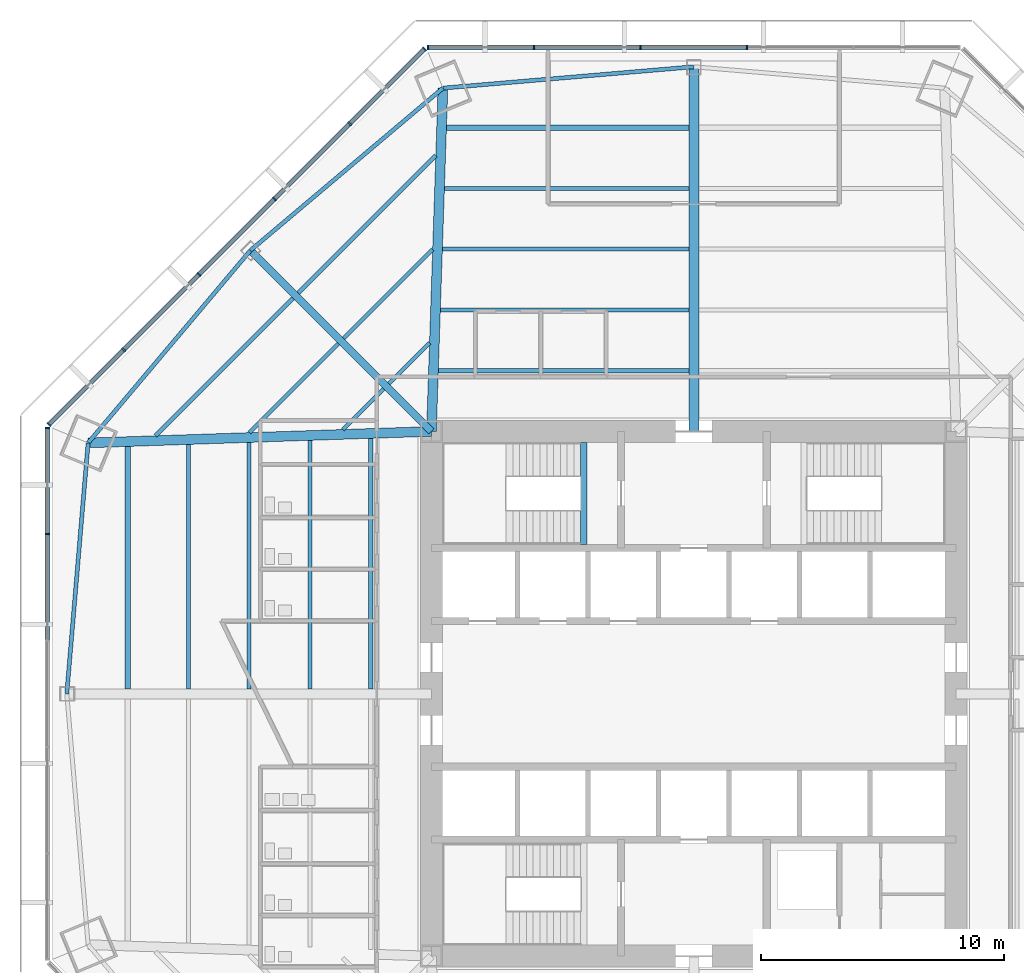
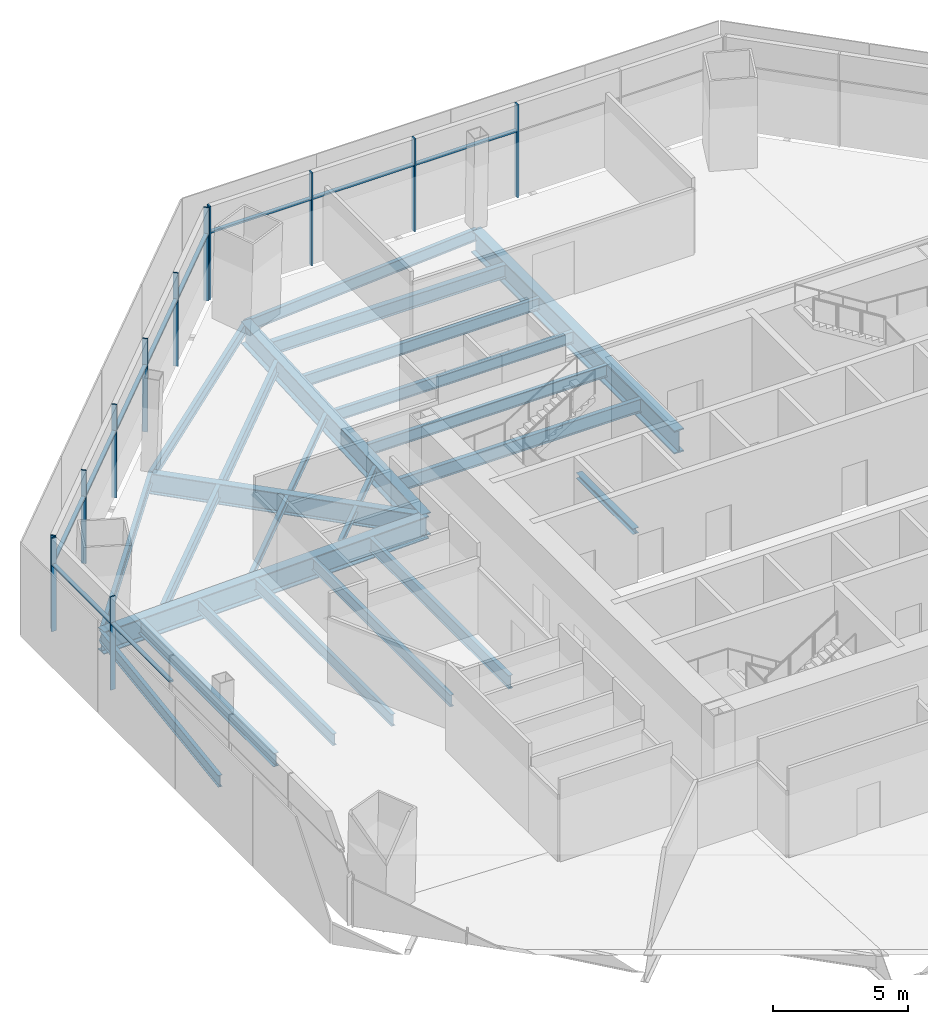
# One storey, part 4 of 13: 25 beams, 22 members, 3 elements without a shape of their own.
"""IFC4 building model written with IfcOpenShell, lengths in metres."""

from ifc_helpers import new_model, si_unit, direction, frame, origin, origin_2d, place, context, subcontext, project, spatial, rectangle, i_section, extrude, source, transform, mapped, material, material_profile, profile_set, type_object, type_shapes, element, aggregate, save


model = new_model("IFC4")

# Units and contexts
model_context = context("Model", 3, precision=1e-05, world=origin(), true_north=direction((0.0, 1.0)))
body_context = subcontext(model_context, "Body", "Model", "MODEL_VIEW")
ifc_project = project(units=[si_unit("LENGTHUNIT", "METRE"), si_unit("AREAUNIT", "SQUARE_METRE"), si_unit("VOLUMEUNIT", "CUBIC_METRE"), si_unit("PLANEANGLEUNIT", "RADIAN"), si_unit("MASSUNIT", "GRAM", prefix="KILO")], contexts=[model_context])

# Site, building, storey
site_placement = place(None, origin())
site = spatial("IfcSite", under=ifc_project, at=site_placement, CompositionType="ELEMENT")
building_placement = place(site_placement, origin())
building = spatial("IfcBuilding", under=site, at=building_placement, Name="Mashrafa Tower", CompositionType="ELEMENT")
storey_placement = place(building_placement, frame((0.0, 0.0, 49.800048828125)))
storey = spatial("IfcBuildingStorey", under=building, at=storey_placement, Name="L10", CompositionType="ELEMENT", Elevation=49.800048828125)

# Beams
ifc_material_1 = material(Name="Steel ASTM A992", Category="steel")
ifc_material_profile_1 = material_profile(ifc_material_1, i_section(OverallWidth=0.164794921875, OverallDepth=0.309814453125, WebThickness=0.005859375, FlangeThickness=0.009765625, FilletRadius=0.007568359375, at=origin_2d()), Name="W12X26")
ifc_profile_set_1 = profile_set([ifc_material_profile_1], Name="Steel ASTM A992")
beam_type_1 = type_object("IfcBeamType", Name="Beam W12X26", PredefinedType="BEAM", material=ifc_profile_set_1)
beam_1_placement = place(storey_placement, frame((-18.301025390625, 10.75, -0.320068359375), z_axis=(0.707106781187, 0.707106781187, 0.0), x_axis=(-0.707106781187, 0.707106781187, 0.0)))
element("IfcBeam", 1, at=beam_1_placement, inside=storey, type_object=beam_type_1, Name="Floor beam L10 006", PredefinedType="BEAM", context=body_context, shape_type="SweptSolid", body=[
    extrude(i_section(OverallWidth=0.164794921875, OverallDepth=0.309814453125, WebThickness=0.005859375, FlangeThickness=0.009765625, FilletRadius=0.007568359375, at=origin_2d()), origin(), (0.0, 0.0, 1.0), 5.185546875),
])
beam_2_placement = place(storey_placement, frame((-14.44677734375, 10.87890625, -0.320068359375), z_axis=(0.707158306437, 0.707055252181, 0.0), x_axis=(-0.707055252181, 0.707158306437, 0.0)))
element("IfcBeam", 2, at=beam_2_placement, inside=storey, type_object=beam_type_1, Name="Floor beam L10 013", PredefinedType="BEAM", context=body_context, shape_type="SweptSolid", body=[
    extrude(i_section(OverallWidth=0.164794921875, OverallDepth=0.309814453125, WebThickness=0.005859375, FlangeThickness=0.009765625, FilletRadius=0.007568359375, at=origin_2d()), origin(), (0.0, 0.0, 1.0), 2.369140625),
])
beam_3_placement = place(storey_placement, frame((-14.416748046875, 14.63427734375, -0.320068359375), z_axis=(0.707106781187, 0.707106781187, 0.0), x_axis=(-0.707106781187, 0.707106781187, 0.0)))
element("IfcBeam", 3, at=beam_3_placement, inside=storey, type_object=beam_type_1, Name="Floor beam L10 015", PredefinedType="BEAM", context=body_context, shape_type="SweptSolid", body=[
    extrude(i_section(OverallWidth=0.164794921875, OverallDepth=0.309814453125, WebThickness=0.005859375, FlangeThickness=0.009765625, FilletRadius=0.007568359375, at=origin_2d()), origin(), (0.0, 0.0, 1.0), 5.185546875),
])
beam_4_placement = place(storey_placement, frame((-12.553955078125, 12.771484375, -0.320068359375), z_axis=(0.707055252181, 0.707158306437, 0.0), x_axis=(-0.707158306437, 0.707055252181, 0.0)))
element("IfcBeam", 4, at=beam_4_placement, inside=storey, type_object=beam_type_1, Name="Floor beam L10 019", PredefinedType="BEAM", context=body_context, shape_type="SweptSolid", body=[
    extrude(i_section(OverallWidth=0.164794921875, OverallDepth=0.309814453125, WebThickness=0.005859375, FlangeThickness=0.009765625, FilletRadius=0.007568359375, at=origin_2d()), origin(), (0.0, 0.0, 1.0), 2.369140625),
])
ifc_material_2 = material(Name="Steel ASTM A992", Category="steel")
ifc_material_profile_2 = material_profile(ifc_material_2, i_section(OverallWidth=0.1650390625, OverallDepth=0.52587890625, WebThickness=0.0087890625, FlangeThickness=0.011474609375, FilletRadius=0.0126953125, at=origin_2d()), Name="W21X44")
ifc_profile_set_2 = profile_set([ifc_material_profile_2], Name="Steel ASTM A992")
beam_type_2 = type_object("IfcBeamType", Name="Beam W21X44", PredefinedType="BEAM", material=ifc_profile_set_2)
beam_5_placement = place(storey_placement, frame((-20.80712890625, 0.20458984375, -0.427978515625), z_axis=(0.0, 1.0, 0.0), x_axis=(-1.0, 0.0, 0.0)))
element("IfcBeam", 5, at=beam_5_placement, inside=storey, type_object=beam_type_2, Name="Floor beam L10 005", PredefinedType="BEAM", context=body_context, shape_type="SweptSolid", body=[
    extrude(i_section(OverallWidth=0.1650390625, OverallDepth=0.52587890625, WebThickness=0.0087890625, FlangeThickness=0.011474609375, FilletRadius=0.0126953125, at=origin_2d()), origin(), (0.0, 0.0, 1.0), 10.059814453125),
])
for number, where, z_axis, x_axis, name in (
    (6, (-18.305419921875, 0.20458984375, -0.427978515625), (0.0, 1.0, 0.0), (-1.0, 0.0, 0.0), "Floor beam L10 008"),
    (7, (-10.34814453125, 18.305419921875, -0.427978515625), (1.0, 0.0, 0.0), (0.0, 1.0, 0.0), "Floor beam L10 023"),
):
    element("IfcBeam", number, at=place(storey_placement, frame(where, z_axis=z_axis, x_axis=x_axis)), inside=storey, type_object=beam_type_2, Name=name, PredefinedType="BEAM", context=body_context, shape_type="SweptSolid", body=[
        extrude(i_section(OverallWidth=0.1650390625, OverallDepth=0.52587890625, WebThickness=0.0087890625, FlangeThickness=0.011474609375, FilletRadius=0.0126953125, at=origin_2d()), origin(), (0.0, 0.0, 1.0), 10.1435546875),
    ])
beam_6_placement = place(storey_placement, frame((-10.264404296875, 20.80712890625, -0.427978515625), z_axis=(1.0, 0.0, 0.0), x_axis=(0.0, 1.0, 0.0)))
element("IfcBeam", 8, at=beam_6_placement, inside=storey, type_object=beam_type_2, Name="Floor beam L10 025", PredefinedType="BEAM", context=body_context, shape_type="SweptSolid", body=[
    extrude(i_section(OverallWidth=0.1650390625, OverallDepth=0.52587890625, WebThickness=0.0087890625, FlangeThickness=0.011474609375, FilletRadius=0.0126953125, at=origin_2d()), origin(), (0.0, 0.0, 1.0), 10.059814453125),
])
ifc_material_3 = material(Name="Steel ASTM A992", Category="steel")
ifc_material_profile_3 = material_profile(ifc_material_3, i_section(OverallWidth=0.165771484375, OverallDepth=0.5283203125, WebThickness=0.009765625, FlangeThickness=0.013671875, FilletRadius=0.012939453125, at=origin_2d()), Name="W21X50")
ifc_profile_set_3 = profile_set([ifc_material_profile_3], Name="Steel ASTM A992")
beam_type_3 = type_object("IfcBeamType", Name="Beam W21X50", PredefinedType="BEAM", material=ifc_profile_set_3)
for number, where, z_axis, x_axis, name in (
    (9, (-15.803466796875, 0.20458984375, -0.42919921875), (0.0, 1.0, 0.0), (-1.0, 0.0, 0.0), "Floor beam L10 012"),
    (10, (-10.431884765625, 15.803466796875, -0.42919921875), (1.0, 0.0, 0.0), (0.0, 1.0, 0.0), "Floor beam L10 022"),
):
    element("IfcBeam", number, at=place(storey_placement, frame(where, z_axis=z_axis, x_axis=x_axis)), inside=storey, type_object=beam_type_3, Name=name, PredefinedType="BEAM", context=body_context, shape_type="SweptSolid", body=[
        extrude(i_section(OverallWidth=0.165771484375, OverallDepth=0.5283203125, WebThickness=0.009765625, FlangeThickness=0.013671875, FilletRadius=0.012939453125, at=origin_2d()), origin(), (0.0, 0.0, 1.0), 10.227294921875),
    ])
beam_7_placement = place(storey_placement, frame((-24.932373046875, 10.327392578125, -0.42919921875), z_axis=(-0.08472768277, -0.996404144799, 0.0), x_axis=(0.996404144799, -0.08472768277, 0.0)))
element("IfcBeam", 11, at=beam_7_placement, inside=storey, type_object=beam_type_3, Name="Spandrel beam L10 083", PredefinedType="BEAM", context=body_context, shape_type="SweptSolid", body=[
    extrude(i_section(OverallWidth=0.165771484375, OverallDepth=0.5283203125, WebThickness=0.009765625, FlangeThickness=0.013671875, FilletRadius=0.012939453125, at=origin_2d()), origin(), (0.0, 0.0, 1.0), 10.36474609375),
])
for number, where, z_axis, x_axis, name in (
    (12, (-18.2509765625, 18.2509765625, -0.42919921875), (-0.644638285495, -0.764487724476, 0.0), (0.764487724476, -0.644638285495, 0.0), "Spandrel beam L10 085"),
    (13, (-10.327392578125, 24.932373046875, -0.42919921875), (-0.764487724476, -0.644638285495, 0.0), (0.644638285495, -0.764487724476, 0.0), "Spandrel beam L10 087"),
):
    element("IfcBeam", number, at=place(storey_placement, frame(where, z_axis=z_axis, x_axis=x_axis)), inside=storey, type_object=beam_type_3, Name=name, PredefinedType="BEAM", context=body_context, shape_type="SweptSolid", body=[
        extrude(i_section(OverallWidth=0.165771484375, OverallDepth=0.5283203125, WebThickness=0.009765625, FlangeThickness=0.013671875, FilletRadius=0.012939453125, at=origin_2d()), origin(), (0.0, 0.0, 1.0), 10.364501953125),
    ])
beam_8_placement = place(storey_placement, frame((0.0, 25.810546875, -0.42919921875), z_axis=(-0.996404144799, -0.08472768277, 0.0), x_axis=(0.08472768277, -0.996404144799, 0.0)))
element("IfcBeam", 14, at=beam_8_placement, inside=storey, type_object=beam_type_3, Name="Spandrel beam L10 089", PredefinedType="BEAM", context=body_context, shape_type="SweptSolid", body=[
    extrude(i_section(OverallWidth=0.165771484375, OverallDepth=0.5283203125, WebThickness=0.009765625, FlangeThickness=0.013671875, FilletRadius=0.012939453125, at=origin_2d()), origin(), (0.0, 0.0, 1.0), 10.36474609375),
])
ifc_material_4 = material(Name="Steel ASTM A992", Category="steel")
ifc_material_profile_4 = material_profile(ifc_material_4, i_section(OverallWidth=0.177978515625, OverallDepth=0.599365234375, WebThickness=0.010009765625, FlangeThickness=0.012939453125, FilletRadius=0.012939453125, at=origin_2d()), Name="W24X55")
ifc_profile_set_4 = profile_set([ifc_material_profile_4], Name="Steel ASTM A992")
beam_type_4 = type_object("IfcBeamType", Name="Beam W24X55", PredefinedType="BEAM", material=ifc_profile_set_4)
for number, where, z_axis, x_axis, name in (
    (15, (-22.155517578125, 10.620849609375, -0.46484375), (0.707106781187, 0.707106781187, 0.0), (-0.707106781187, 0.707106781187, 0.0), "Floor beam L10 003"),
    (16, (-16.279541015625, 16.496826171875, -0.46484375), (0.707106781187, 0.707106781187, 0.0), (-0.707106781187, 0.707106781187, 0.0), "Floor beam L10 010"),
):
    element("IfcBeam", number, at=place(storey_placement, frame(where, z_axis=z_axis, x_axis=x_axis)), inside=storey, type_object=beam_type_4, Name=name, PredefinedType="BEAM", context=body_context, shape_type="SweptSolid", body=[
        extrude(i_section(OverallWidth=0.177978515625, OverallDepth=0.599365234375, WebThickness=0.010009765625, FlangeThickness=0.012939453125, FilletRadius=0.012939453125, at=origin_2d()), origin(), (0.0, 0.0, 1.0), 8.002685546875),
    ])
for number, where, z_axis, x_axis, name in (
    (17, (-13.3017578125, 0.20458984375, -0.46484375), (0.0, 1.0, 0.0), (-1.0, 0.0, 0.0), "Floor beam L10 017"),
    (18, (-10.515380859375, 13.3017578125, -0.46484375), (1.0, 0.0, 0.0), (0.0, 1.0, 0.0), "Floor beam L10 020"),
):
    element("IfcBeam", number, at=place(storey_placement, frame(where, z_axis=z_axis, x_axis=x_axis)), inside=storey, type_object=beam_type_4, Name=name, PredefinedType="BEAM", context=body_context, shape_type="SweptSolid", body=[
        extrude(i_section(OverallWidth=0.177978515625, OverallDepth=0.599365234375, WebThickness=0.010009765625, FlangeThickness=0.012939453125, FilletRadius=0.012939453125, at=origin_2d()), origin(), (0.0, 0.0, 1.0), 10.310791015625),
    ])
ifc_material_5 = material(Name="Steel ASTM A992", Category="steel")
ifc_material_profile_5 = material_profile(ifc_material_5, i_section(OverallWidth=0.227783203125, OverallDepth=0.60205078125, WebThickness=0.010498046875, FlangeThickness=0.014892578125, FilletRadius=0.012939453125, at=origin_2d()), Name="W24X68")
ifc_profile_set_5 = profile_set([ifc_material_profile_5], Name="Steel ASTM A992")
beam_type_5 = type_object("IfcBeamType", Name="Beam W24X68", PredefinedType="BEAM", material=ifc_profile_set_5)
for number, where, z_axis, x_axis, name in (
    (19, (-23.308837890625, 0.20458984375, -0.466064453125), (0.0, 1.0, 0.0), (-1.0, 0.0, 0.0), "Floor beam L10 002"),
    (20, (-10.180908203125, 23.308837890625, -0.466064453125), (1.0, 0.0, 0.0), (0.0, 1.0, 0.0), "Floor beam L10 027"),
):
    element("IfcBeam", number, at=place(storey_placement, frame(where, z_axis=z_axis, x_axis=x_axis)), inside=storey, type_object=beam_type_5, Name=name, PredefinedType="BEAM", context=body_context, shape_type="SweptSolid", body=[
        extrude(i_section(OverallWidth=0.227783203125, OverallDepth=0.60205078125, WebThickness=0.010498046875, FlangeThickness=0.014892578125, FilletRadius=0.012939453125, at=origin_2d()), origin(), (0.0, 0.0, 1.0), 9.976318359375),
    ])
ifc_material_6 = material(Name="Steel ASTM A992", Category="steel")
ifc_material_profile_6 = material_profile(ifc_material_6, i_section(OverallWidth=0.307373046875, OverallDepth=0.927001953125, WebThickness=0.01953125, FlangeThickness=0.031982421875, FilletRadius=0.01904296875, at=origin_2d()), Name="W36X194")
ifc_profile_set_6 = profile_set([ifc_material_profile_6], Name="Steel ASTM A992")
beam_type_6 = type_object("IfcBeamType", Name="Beam W36X194", PredefinedType="BEAM", material=ifc_profile_set_6)
beam_9_placement = place(storey_placement, frame((-10.800048828125, 10.800048828125, -0.628662109375), z_axis=(-0.707106781187, 0.707106781187, 0.0), x_axis=(-0.707106781187, -0.707106781187, 0.0)))
element("IfcBeam", 21, at=beam_9_placement, inside=storey, type_object=beam_type_6, Name="Radial girder L10 070", PredefinedType="BEAM", context=body_context, shape_type="SweptSolid", body=[
    extrude(i_section(OverallWidth=0.307373046875, OverallDepth=0.927001953125, WebThickness=0.01953125, FlangeThickness=0.031982421875, FilletRadius=0.01904296875, at=origin_2d()), origin(), (0.0, 0.0, 1.0), 10.537109375),
])
ifc_material_7 = material(Name="Steel ASTM A992", Category="steel")
ifc_material_profile_7 = material_profile(ifc_material_7, i_section(OverallWidth=0.4013671875, OverallDepth=1.010986328125, WebThickness=0.023681640625, FlangeThickness=0.0419921875, FilletRadius=0.02001953125, at=origin_2d()), Name="W40X297")
ifc_profile_set_7 = profile_set([ifc_material_profile_7], Name="Steel ASTM A992")
beam_type_7 = type_object("IfcBeamType", Name="Beam W40X297", PredefinedType="BEAM", material=ifc_profile_set_7)
for number, where, z_axis, x_axis, name in (
    (22, (-10.800048828125, 10.800048828125, -0.67041015625), (-0.999441183174, -0.033426357507, 0.0), (0.033426357507, -0.999441183174, 0.0), "Radial girder L10 069"),
    (23, (-10.800048828125, 10.800048828125, -0.67041015625), (0.033426357507, 0.999441183174, 0.0), (-0.999441183174, 0.033426357507, 0.0), "Radial girder L10 071"),
):
    element("IfcBeam", number, at=place(storey_placement, frame(where, z_axis=z_axis, x_axis=x_axis)), inside=storey, type_object=beam_type_7, Name=name, PredefinedType="BEAM", context=body_context, shape_type="SweptSolid", body=[
        extrude(i_section(OverallWidth=0.4013671875, OverallDepth=1.010986328125, WebThickness=0.023681640625, FlangeThickness=0.0419921875, FilletRadius=0.02001953125, at=origin_2d()), origin(), (0.0, 0.0, 1.0), 14.14013671875),
    ])
ifc_material_8 = material(Name="Steel ASTM A992", Category="steel")
ifc_material_profile_8 = material_profile(ifc_material_8, i_section(OverallWidth=0.408935546875, OverallDepth=1.04150390625, WebThickness=0.031005859375, FlangeThickness=0.055908203125, FilletRadius=0.020263671875, at=origin_2d()), Name="W40X397")
ifc_profile_set_8 = profile_set([ifc_material_profile_8], Name="Steel ASTM A992")
beam_type_8 = type_object("IfcBeamType", Name="Beam W40X397", PredefinedType="BEAM", material=ifc_profile_set_8)
beam_10_placement = place(storey_placement, frame((0.0, 10.800048828125, -0.685791015625), z_axis=(0.0, 1.0, 0.0), x_axis=(-1.0, 0.0, 0.0)))
element("IfcBeam", 24, at=beam_10_placement, inside=storey, type_object=beam_type_8, Name="Radial girder L10 073", PredefinedType="BEAM", context=body_context, shape_type="SweptSolid", body=[
    extrude(i_section(OverallWidth=0.408935546875, OverallDepth=1.04150390625, WebThickness=0.031005859375, FlangeThickness=0.055908203125, FilletRadius=0.020263671875, at=origin_2d()), origin(), (0.0, 0.0, 1.0), 15.010498046875),
])
ifc_material_9 = material(Name="Steel ASTM A992", Category="steel")
ifc_material_profile_9 = material_profile(ifc_material_9, i_section(OverallWidth=0.25390625, OverallDepth=0.25390625, WebThickness=0.008544921875, FlangeThickness=0.01416015625, FilletRadius=0.010009765625, at=origin_2d()), Name="W10X49")
ifc_profile_set_9 = profile_set([ifc_material_profile_9], Name="Steel ASTM A992")
beam_type_9 = type_object("IfcBeamType", Name="Hoistway beam W10X49", PredefinedType="BEAM", material=ifc_profile_set_9)
beam_11_placement = place(storey_placement, frame((-4.530029296875, 6.14990234375, -0.3271484375), z_axis=(0.0, 1.0, 0.0), x_axis=(-1.0, 0.0, 0.0)))
element("IfcBeam", 25, at=beam_11_placement, inside=storey, type_object=beam_type_9, Name="Stair S1 landing beam L10", PredefinedType="BEAM", context=body_context, shape_type="SweptSolid", body=[
    extrude(i_section(OverallWidth=0.25390625, OverallDepth=0.25390625, WebThickness=0.008544921875, FlangeThickness=0.01416015625, FilletRadius=0.010009765625, at=origin_2d()), origin(), (0.0, 0.0, 1.0), 4.2001953125),
])

# Curtain wall, members
ifc_material_10 = material(Name="Unitised aluminium curtain wall", Category="aluminium")
curtain_wall_type = type_object("IfcCurtainWallType", Name="Office curtain wall, zone 1 CW-A 200 deep", PredefinedType="NOTDEFINED", material=ifc_material_10)
curtain_wall_1_placement = place(storey_placement, origin())
curtain_wall_1 = element("IfcCurtainWall", 26, at=curtain_wall_1_placement, inside=storey, type_object=curtain_wall_type, Name="Office curtain wall, zone 1 L10 north", PredefinedType="NOTDEFINED")
ifc_material_11 = material(Name="Extruded aluminium mullion", Category="aluminium")
ifc_material_profile_10 = material_profile(ifc_material_11, rectangle(XDim=0.199951171875, YDim=0.06494140625, at=origin_2d()), Name="Mullion 65x200")
ifc_profile_set_10 = profile_set([ifc_material_profile_10], Name="Extruded aluminium mullion")
member_type_1 = type_object("IfcMemberType", Name="Mullion CW-A 65 x 200", PredefinedType="MULLION", material=ifc_profile_set_10)
shared_shape_1 = source(origin(), body_context, "Body", "SweptSolid", [
    extrude(rectangle(XDim=0.199951171875, YDim=0.06494140625, at=origin_2d()), origin(), (0.0, 0.0, 1.0), 4.199951171875),
])
type_shapes(member_type_1, [shared_shape_1])
member_1_placement = place(storey_placement, frame((2.19384765625, 26.60595703125, 0.0), z_axis=(0.0, 0.0, 1.0), x_axis=(0.0, -1.0, 0.0)))
member_1 = element("IfcMember", 27, at=member_1_placement, type_object=member_type_1, Name="CW-A mullion 3", PredefinedType="MULLION", context=body_context, shape_type="MappedRepresentation", body=[
    mapped(shared_shape_1, transform((0.0, 0.0, 0.0))),
])
member_2_placement = place(storey_placement, frame((-2.19384765625, 26.60595703125, 0.0), z_axis=(0.0, 0.0, 1.0), x_axis=(0.0, -1.0, 0.0)))
member_2 = element("IfcMember", 28, at=member_2_placement, type_object=member_type_1, Name="CW-A mullion 4", PredefinedType="MULLION", context=body_context, shape_type="MappedRepresentation", body=[
    mapped(shared_shape_1, transform((0.0, 0.0, 0.0))),
])
member_3_placement = place(storey_placement, frame((-6.58154296875, 26.60595703125, 0.0), z_axis=(0.0, 0.0, 1.0), x_axis=(0.0, -1.0, 0.0)))
member_3 = element("IfcMember", 29, at=member_3_placement, type_object=member_type_1, Name="CW-A mullion 5", PredefinedType="MULLION", context=body_context, shape_type="MappedRepresentation", body=[
    mapped(shared_shape_1, transform((0.0, 0.0, 0.0))),
])
member_4_placement = place(storey_placement, frame((-10.9365234375, 26.60595703125, 0.0), z_axis=(0.0, 0.0, 1.0), x_axis=(0.0, -1.0, 0.0)))
member_4 = element("IfcMember", 30, at=member_4_placement, type_object=member_type_1, Name="CW-A mullion 6", PredefinedType="MULLION", context=body_context, shape_type="MappedRepresentation", body=[
    mapped(shared_shape_1, transform((0.0, 0.0, 0.0))),
])

curtain_wall_2_placement = place(storey_placement, origin())
curtain_wall_2 = element("IfcCurtainWall", 31, at=curtain_wall_2_placement, inside=storey, type_object=curtain_wall_type, Name="Office curtain wall, zone 1 L10 north-west", PredefinedType="NOTDEFINED")
member_5_placement = place(storey_placement, frame((-11.079833984375, 26.546630859375, 0.0), z_axis=(0.0, 0.0, 1.0), x_axis=(0.707106781187, -0.707106781187, 0.0)))
member_5 = element("IfcMember", 32, at=member_5_placement, type_object=member_type_1, Name="CW-A mullion 1", PredefinedType="MULLION", context=body_context, shape_type="MappedRepresentation", body=[
    mapped(shared_shape_1, transform((0.0, 0.0, 0.0))),
])
member_6_placement = place(storey_placement, frame((-14.159423828125, 23.467041015625, 0.0), z_axis=(0.0, 0.0, 1.0), x_axis=(0.707106781187, -0.707106781187, 0.0)))
member_6 = element("IfcMember", 33, at=member_6_placement, type_object=member_type_1, Name="CW-A mullion 2", PredefinedType="MULLION", context=body_context, shape_type="MappedRepresentation", body=[
    mapped(shared_shape_1, transform((0.0, 0.0, 0.0))),
])
member_7_placement = place(storey_placement, frame((-17.261962890625, 20.364501953125, 0.0), z_axis=(0.0, 0.0, 1.0), x_axis=(0.707106781187, -0.707106781187, 0.0)))
member_7 = element("IfcMember", 34, at=member_7_placement, type_object=member_type_1, Name="CW-A mullion 3", PredefinedType="MULLION", context=body_context, shape_type="MappedRepresentation", body=[
    mapped(shared_shape_1, transform((0.0, 0.0, 0.0))),
])
member_8_placement = place(storey_placement, frame((-20.364501953125, 17.261962890625, 0.0), z_axis=(0.0, 0.0, 1.0), x_axis=(0.707106781187, -0.707106781187, 0.0)))
member_8 = element("IfcMember", 35, at=member_8_placement, type_object=member_type_1, Name="CW-A mullion 4", PredefinedType="MULLION", context=body_context, shape_type="MappedRepresentation", body=[
    mapped(shared_shape_1, transform((0.0, 0.0, 0.0))),
])
member_9_placement = place(storey_placement, frame((-23.467041015625, 14.159423828125, 0.0), z_axis=(0.0, 0.0, 1.0), x_axis=(0.707106781187, -0.707106781187, 0.0)))
member_9 = element("IfcMember", 36, at=member_9_placement, type_object=member_type_1, Name="CW-A mullion 5", PredefinedType="MULLION", context=body_context, shape_type="MappedRepresentation", body=[
    mapped(shared_shape_1, transform((0.0, 0.0, 0.0))),
])
member_10_placement = place(storey_placement, frame((-26.546630859375, 11.079833984375, 0.0), z_axis=(0.0, 0.0, 1.0), x_axis=(0.707106781187, -0.707106781187, 0.0)))
member_10 = element("IfcMember", 37, at=member_10_placement, type_object=member_type_1, Name="CW-A mullion 6", PredefinedType="MULLION", context=body_context, shape_type="MappedRepresentation", body=[
    mapped(shared_shape_1, transform((0.0, 0.0, 0.0))),
])

curtain_wall_3_placement = place(storey_placement, origin())
curtain_wall_3 = element("IfcCurtainWall", 38, at=curtain_wall_3_placement, inside=storey, type_object=curtain_wall_type, Name="Office curtain wall, zone 1 L10 west", PredefinedType="NOTDEFINED")
member_11_placement = place(storey_placement, frame((-26.60595703125, 10.9365234375, 0.0), z_axis=(0.0, 0.0, 1.0), x_axis=(1.0, 0.0, 0.0)))
member_11 = element("IfcMember", 39, at=member_11_placement, type_object=member_type_1, Name="CW-A mullion 1", PredefinedType="MULLION", context=body_context, shape_type="MappedRepresentation", body=[
    mapped(shared_shape_1, transform((0.0, 0.0, 0.0))),
])
member_12_placement = place(storey_placement, frame((-26.60595703125, 6.58154296875, 0.0), z_axis=(0.0, 0.0, 1.0), x_axis=(1.0, 0.0, 0.0)))
member_12 = element("IfcMember", 40, at=member_12_placement, type_object=member_type_1, Name="CW-A mullion 2", PredefinedType="MULLION", context=body_context, shape_type="MappedRepresentation", body=[
    mapped(shared_shape_1, transform((0.0, 0.0, 0.0))),
])

# Member
ifc_material_12 = material(Name="Extruded aluminium transom", Category="aluminium")
ifc_material_profile_11 = material_profile(ifc_material_12, rectangle(XDim=0.159912109375, YDim=0.080078125, at=origin_2d()), Name="Transom 80x160")
ifc_profile_set_11 = profile_set([ifc_material_profile_11], Name="Extruded aluminium transom")
member_type_2 = type_object("IfcMemberType", Name="Transom CW-A 80 x 160", PredefinedType="MULLION", material=ifc_profile_set_11)
shared_shape_2 = source(origin(), body_context, "Body", "SweptSolid", [
    extrude(rectangle(XDim=0.159912109375, YDim=0.080078125, at=origin_2d()), origin(), (0.0, 0.0, 1.0), 4.2900390625),
])
member_13_placement = place(storey_placement, frame((-6.614013671875, 26.60595703125, 3.0), z_axis=(-1.0, 0.0, 0.0), x_axis=(0.0, -1.0, 0.0)))
member_13 = element("IfcMember", 41, at=member_13_placement, type_object=member_type_2, Name="CW-A transom 5", PredefinedType="MULLION", context=body_context, shape_type="MappedRepresentation", body=[
    mapped(shared_shape_2, transform((0.0, 0.0, 0.0))),
])

member_14_placement = place(storey_placement, frame((-26.60595703125, 10.904052734375, 3.0), z_axis=(0.0, -1.0, 0.0), x_axis=(1.0, 0.0, 0.0)))
member_14 = element("IfcMember", 42, at=member_14_placement, type_object=member_type_2, Name="CW-A transom 1", PredefinedType="MULLION", context=body_context, shape_type="MappedRepresentation", body=[
    mapped(shared_shape_2, transform((0.0, 0.0, 0.0))),
])

shared_shape_3 = source(origin(), body_context, "Body", "SweptSolid", [
    extrude(rectangle(XDim=0.159912109375, YDim=0.080078125, at=origin_2d()), origin(), (0.0, 0.0, 1.0), 4.32275390625),
])
member_15_placement = place(storey_placement, frame((2.161376953125, 26.60595703125, 3.0), z_axis=(-1.0, 0.0, 0.0), x_axis=(0.0, -1.0, 0.0)))
member_15 = element("IfcMember", 43, at=member_15_placement, type_object=member_type_2, Name="CW-A transom 3", PredefinedType="MULLION", context=body_context, shape_type="MappedRepresentation", body=[
    mapped(shared_shape_3, transform((0.0, 0.0, 0.0))),
])

member_16_placement = place(storey_placement, frame((-2.226318359375, 26.60595703125, 3.0), z_axis=(-1.0, 0.0, 0.0), x_axis=(0.0, -1.0, 0.0)))
member_16 = element("IfcMember", 44, at=member_16_placement, type_object=member_type_2, Name="CW-A transom 4", PredefinedType="MULLION", context=body_context, shape_type="MappedRepresentation", body=[
    mapped(shared_shape_3, transform((0.0, 0.0, 0.0))),
])

aggregate(curtain_wall_1, [member_1, member_2, member_3, member_4, member_15, member_16, member_13])

member_17_placement = place(storey_placement, frame((-14.182373046875, 23.444091796875, 3.0), z_axis=(-0.707106781187, -0.707106781187, 0.0), x_axis=(0.707106781187, -0.707106781187, 0.0)))
member_17 = element("IfcMember", 45, at=member_17_placement, type_object=member_type_2, Name="CW-A transom 2", PredefinedType="MULLION", context=body_context, shape_type="MappedRepresentation", body=[
    mapped(shared_shape_3, transform((0.0, 0.0, 0.0))),
])

member_18_placement = place(storey_placement, frame((-17.284912109375, 20.341552734375, 3.0), z_axis=(-0.707106781187, -0.707106781187, 0.0), x_axis=(0.707106781187, -0.707106781187, 0.0)))
member_18 = element("IfcMember", 46, at=member_18_placement, type_object=member_type_2, Name="CW-A transom 3", PredefinedType="MULLION", context=body_context, shape_type="MappedRepresentation", body=[
    mapped(shared_shape_3, transform((0.0, 0.0, 0.0))),
])

member_19_placement = place(storey_placement, frame((-20.387451171875, 17.239013671875, 3.0), z_axis=(-0.707106781187, -0.707106781187, 0.0), x_axis=(0.707106781187, -0.707106781187, 0.0)))
member_19 = element("IfcMember", 47, at=member_19_placement, type_object=member_type_2, Name="CW-A transom 4", PredefinedType="MULLION", context=body_context, shape_type="MappedRepresentation", body=[
    mapped(shared_shape_3, transform((0.0, 0.0, 0.0))),
])

member_20_placement = place(storey_placement, frame((-26.60595703125, 6.549072265625, 3.0), z_axis=(0.0, -1.0, 0.0), x_axis=(1.0, 0.0, 0.0)))
member_20 = element("IfcMember", 48, at=member_20_placement, type_object=member_type_2, Name="CW-A transom 2", PredefinedType="MULLION", context=body_context, shape_type="MappedRepresentation", body=[
    mapped(shared_shape_3, transform((0.0, 0.0, 0.0))),
])

aggregate(curtain_wall_3, [member_11, member_12, member_14, member_20])

shared_shape_4 = source(origin(), body_context, "Body", "SweptSolid", [
    extrude(rectangle(XDim=0.159912109375, YDim=0.080078125, at=origin_2d()), origin(), (0.0, 0.0, 1.0), 4.290283203125),
])
type_shapes(member_type_2, [shared_shape_2, shared_shape_3, shared_shape_4])
member_21_placement = place(storey_placement, frame((-11.102783203125, 26.523681640625, 3.0), z_axis=(-0.707106781187, -0.707106781187, 0.0), x_axis=(0.707106781187, -0.707106781187, 0.0)))
member_21 = element("IfcMember", 49, at=member_21_placement, type_object=member_type_2, Name="CW-A transom 1", PredefinedType="MULLION", context=body_context, shape_type="MappedRepresentation", body=[
    mapped(shared_shape_4, transform((0.0, 0.0, 0.0))),
])

member_22_placement = place(storey_placement, frame((-23.489990234375, 14.136474609375, 3.0), z_axis=(-0.707106781187, -0.707106781187, 0.0), x_axis=(0.707106781187, -0.707106781187, 0.0)))
member_22 = element("IfcMember", 50, at=member_22_placement, type_object=member_type_2, Name="CW-A transom 5", PredefinedType="MULLION", context=body_context, shape_type="MappedRepresentation", body=[
    mapped(shared_shape_4, transform((0.0, 0.0, 0.0))),
])

aggregate(curtain_wall_2, [member_5, member_6, member_7, member_8, member_9, member_10, member_21, member_17, member_18, member_19, member_22])

save(model, "model.ifc")
